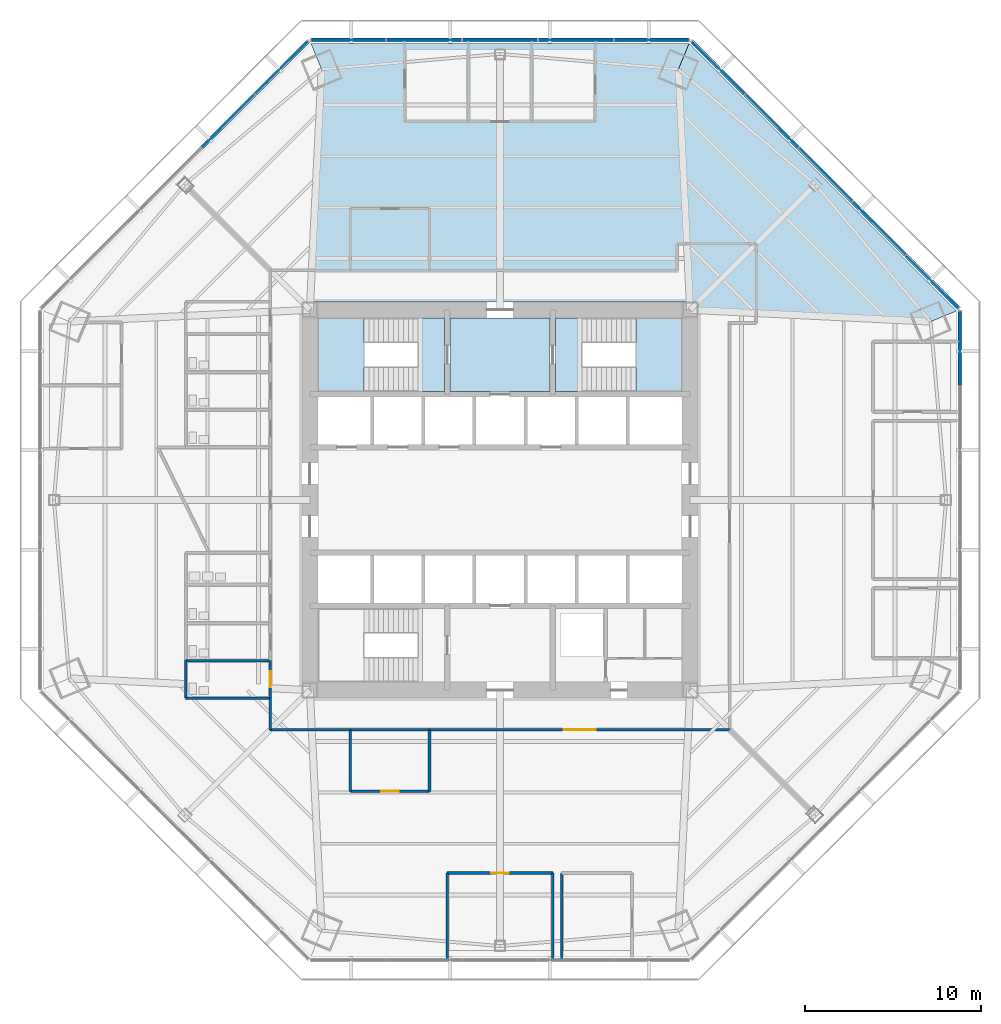
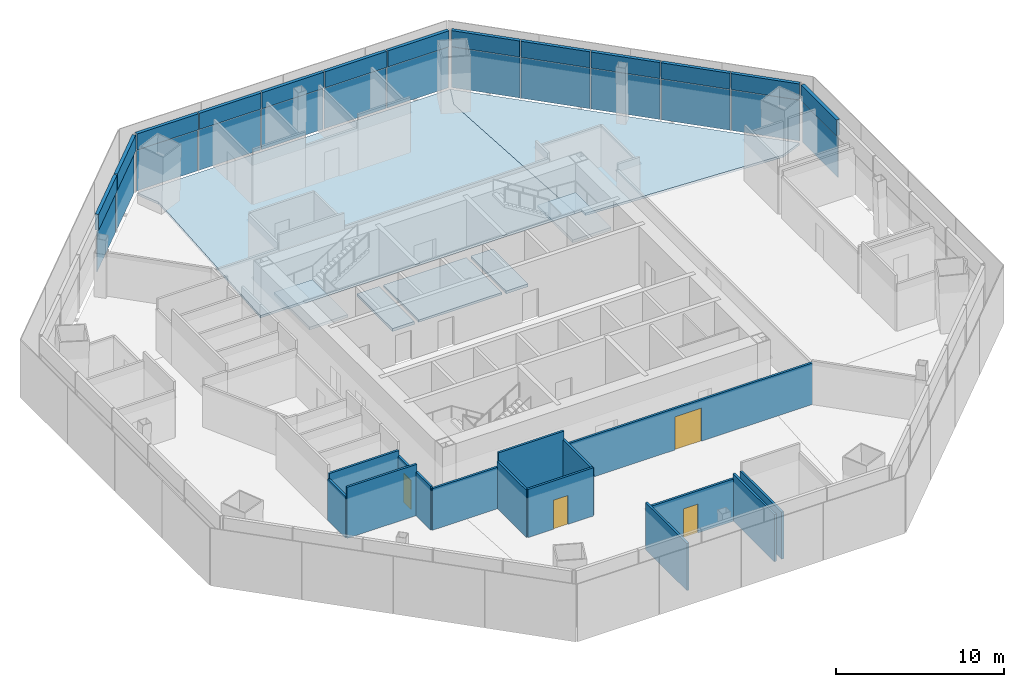
# One storey, part 8 of 15: 26 plates, 15 walls, 7 slabs, 4 doors, 4 openings, 6 elements without a shape of their own.
"""IFC4 building model written with IfcOpenShell, lengths in metres."""

from ifc_helpers import new_model, si_unit, direction, frame, frame_2d, origin, origin_2d, place, context, subcontext, project, spatial, polyline, rectangle, outline, extrude, source, transform, mapped, material, layer, layer_set, type_object, type_shapes, element, fill, aggregate, save


model = new_model("IFC4")

# Units and contexts
model_context = context("Model", 3, precision=1e-05, world=origin(), true_north=direction((0.0, 1.0)))
body_context = subcontext(model_context, "Body", "Model", "MODEL_VIEW")
ifc_project = project(units=[si_unit("LENGTHUNIT", "METRE"), si_unit("AREAUNIT", "SQUARE_METRE"), si_unit("VOLUMEUNIT", "CUBIC_METRE"), si_unit("PLANEANGLEUNIT", "RADIAN"), si_unit("MASSUNIT", "GRAM", prefix="KILO")], contexts=[model_context])

# Site, building, storey
site_placement = place(None, origin())
site = spatial("IfcSite", under=ifc_project, at=site_placement, CompositionType="ELEMENT")
building_placement = place(site_placement, origin())
building = spatial("IfcBuilding", under=site, at=building_placement, Name="Mashrafa Tower", CompositionType="ELEMENT")
storey_placement = place(building_placement, frame((0.0, 0.0, 66.60009765625)))
storey = spatial("IfcBuildingStorey", under=building, at=storey_placement, Name="L14", CompositionType="ELEMENT", Elevation=66.60009765625)

# Slabs
ifc_material_1 = material(Name="Concrete C35/45", Category="concrete")
ifc_layer_1 = layer(ifc_material_1, 0.1650390625)
ifc_layer_set_1 = layer_set([ifc_layer_1], Name="Floor slab 165")
slab_type_1 = type_object("IfcSlabType", Name="Floor slab 165", PredefinedType="FLOOR", material=ifc_layer_set_1)
slab_1_placement = place(storey_placement, frame((0.0, 0.0, -0.1650390625)))
element("IfcSlab", 1, at=slab_1_placement, inside=storey, type_object=slab_type_1, Name="Floor slab L14 north-east bay", PredefinedType="FLOOR", context=body_context, shape_type="SweptSolid", body=[
    extrude(outline(polyline([(10.740966796875, 25.9306640625), (25.9306640625, 10.740966796875), (25.9306640625, 10.74072265625), (24.457275390625, 10.130615234375), (11.25, 10.77783203125), (11.25, 11.25), (10.77783203125, 11.25), (10.130615234375, 24.457275390625), (10.74072265625, 25.9306640625), (10.740966796875, 25.9306640625)])), origin(), (0.0, 0.0, 1.0), 0.1650390625),
])
slab_2_placement = place(storey_placement, frame((0.0, 0.0, -0.1650390625)))
element("IfcSlab", 2, at=slab_2_placement, inside=storey, type_object=slab_type_1, Name="Floor slab L14 north bay", PredefinedType="FLOOR", context=body_context, shape_type="SweptSolid", body=[
    extrude(outline(polyline([(10.74072265625, 25.9306640625), (10.130615234375, 24.457275390625), (10.77783203125, 11.25), (-10.77783203125, 11.25), (-10.130615234375, 24.457275390625), (-10.74072265625, 25.9306640625), (10.74072265625, 25.9306640625)])), origin(), (0.0, 0.0, 1.0), 0.1650390625),
])
slab_3_placement = place(storey_placement, frame((0.0, 0.0, -0.1650390625)))
element("IfcSlab", 3, at=slab_3_placement, inside=storey, type_object=slab_type_1, Name="Core floor fire-fighting lobby north L14", PredefinedType="FLOOR", context=body_context, shape_type="SweptSolid", body=[
    extrude(outline(polyline([(-2.85009765625, 10.35009765625), (2.85009765625, 10.35009765625), (2.85009765625, 6.14990234375), (-2.85009765625, 6.14990234375), (-2.85009765625, 10.35009765625)])), origin(), (0.0, 0.0, 1.0), 0.1650390625),
])

# Stair, slabs
ifc_material_2 = material(Name="Exit stair 1400")
stair_type = type_object("IfcStairType", Name="Exit stair 1400", PredefinedType="HALF_TURN_STAIR", material=ifc_material_2)
stair_1_placement = place(storey_placement, origin())
stair_1 = element("IfcStair", 4, at=stair_1_placement, inside=storey, type_object=stair_type, Name="Stair S1 L14", PredefinedType="HALF_TURN_STAIR")
ifc_material_3 = material(Name="Concrete C32/40", Category="concrete")
ifc_layer_2 = layer(ifc_material_3, 0.199951171875)
ifc_layer_set_2 = layer_set([ifc_layer_2], Name="Stair landing 200")
slab_type_2 = type_object("IfcSlabType", Name="Stair landing 200", PredefinedType="LANDING", material=ifc_layer_set_2)
slab_4_placement = place(storey_placement, frame((0.0, 0.0, -0.2001953125)))
slab_4 = element("IfcSlab", 5, at=slab_4_placement, type_object=slab_type_2, Name="S1 landing 1", PredefinedType="LANDING", context=body_context, shape_type="SweptSolid", body=[
    extrude(outline(polyline([(-4.659912109375, 6.14990234375), (-3.14990234375, 6.14990234375), (-3.14990234375, 10.35009765625), (-4.659912109375, 10.35009765625), (-4.659912109375, 6.14990234375)])), origin(), (0.0, 0.0, 1.0), 0.2001953125),
])
slab_5_placement = place(storey_placement, frame((0.0, 0.0, 1.89990234375)))
slab_5 = element("IfcSlab", 6, at=slab_5_placement, type_object=slab_type_2, Name="S1 landing 2", PredefinedType="LANDING", context=body_context, shape_type="SweptSolid", body=[
    extrude(outline(polyline([(-10.35009765625, 6.14990234375), (-7.719970703125, 6.14990234375), (-7.719970703125, 10.35009765625), (-10.35009765625, 10.35009765625), (-10.35009765625, 6.14990234375)])), origin(), (0.0, 0.0, 1.0), 0.199951171875),
])
aggregate(stair_1, [slab_4, slab_5])

stair_2_placement = place(storey_placement, origin())
stair_2 = element("IfcStair", 7, at=stair_2_placement, inside=storey, type_object=stair_type, Name="Stair S2 L14", PredefinedType="HALF_TURN_STAIR")
slab_6_placement = place(storey_placement, frame((0.0, 0.0, -0.2001953125)))
slab_6 = element("IfcSlab", 8, at=slab_6_placement, type_object=slab_type_2, Name="S2 landing 1", PredefinedType="LANDING", context=body_context, shape_type="SweptSolid", body=[
    extrude(outline(polyline([(3.14990234375, 6.14990234375), (4.659912109375, 6.14990234375), (4.659912109375, 10.35009765625), (3.14990234375, 10.35009765625), (3.14990234375, 6.14990234375)])), origin(), (0.0, 0.0, 1.0), 0.2001953125),
])
slab_7_placement = place(storey_placement, frame((0.0, 0.0, 1.89990234375)))
slab_7 = element("IfcSlab", 9, at=slab_7_placement, type_object=slab_type_2, Name="S2 landing 2", PredefinedType="LANDING", context=body_context, shape_type="SweptSolid", body=[
    extrude(outline(polyline([(7.719970703125, 6.14990234375), (10.35009765625, 6.14990234375), (10.35009765625, 10.35009765625), (7.719970703125, 10.35009765625), (7.719970703125, 6.14990234375)])), origin(), (0.0, 0.0, 1.0), 0.199951171875),
])
aggregate(stair_2, [slab_6, slab_7])

# Curtain wall, plate
ifc_material_4 = material(Name="Unitised aluminium curtain wall", Category="aluminium")
curtain_wall_type = type_object("IfcCurtainWallType", Name="Office curtain wall, zone 1 CW-A 200 deep", PredefinedType="NOTDEFINED", material=ifc_material_4)
curtain_wall_1_placement = place(storey_placement, origin())
curtain_wall_1 = element("IfcCurtainWall", 10, at=curtain_wall_1_placement, inside=storey, type_object=curtain_wall_type, Name="Office curtain wall, zone 1 L14 east", PredefinedType="NOTDEFINED")
ifc_material_5 = material(Name="Insulated double glazing, low-e, neutral", Category="glass")
ifc_layer_3 = layer(ifc_material_5, 0.028076171875)
ifc_layer_set_3 = layer_set([ifc_layer_3], Name="Vision panel CW-A 28")
plate_type_1 = type_object("IfcPlateType", Name="Vision panel CW-A 28", PredefinedType="CURTAIN_PANEL", material=ifc_layer_set_3)
shared_shape_1 = source(origin(), body_context, "Body", "SweptSolid", [
    extrude(rectangle(XDim=4.21142578125, YDim=0.028076171875, at=origin_2d()), origin(), (0.0, 0.0, 1.0), 2.9599609375),
])
plate_1_placement = place(storey_placement, frame((26.130615234375, 8.6015625, 0.0), z_axis=(0.0, 0.0, 1.0), x_axis=(0.0, 1.0, 0.0)))
plate_1 = element("IfcPlate", 11, at=plate_1_placement, type_object=plate_type_1, Name="CW-A vision panel 5", PredefinedType="CURTAIN_PANEL", context=body_context, shape_type="MappedRepresentation", body=[
    mapped(shared_shape_1, transform((0.0, 0.0, 0.0))),
])

# Curtain wall, plates
curtain_wall_2_placement = place(storey_placement, origin())
curtain_wall_2 = element("IfcCurtainWall", 12, at=curtain_wall_2_placement, inside=storey, type_object=curtain_wall_type, Name="Office curtain wall, zone 1 L14 north-east", PredefinedType="NOTDEFINED")
plate_2_placement = place(storey_placement, frame((24.559326171875, 12.39501953125, 0.0), z_axis=(0.0, 0.0, 1.0), x_axis=(-0.707106781187, 0.707106781187, 0.0)))
plate_2 = element("IfcPlate", 13, at=plate_2_placement, type_object=plate_type_1, Name="CW-A vision panel 1", PredefinedType="CURTAIN_PANEL", context=body_context, shape_type="MappedRepresentation", body=[
    mapped(shared_shape_1, transform((0.0, 0.0, 0.0))),
])
plate_3_placement = place(storey_placement, frame((12.39501953125, 24.559326171875, 0.0), z_axis=(0.0, 0.0, 1.0), x_axis=(-0.707106781187, 0.707106781187, 0.0)))
plate_3 = element("IfcPlate", 14, at=plate_3_placement, type_object=plate_type_1, Name="CW-A vision panel 5", PredefinedType="CURTAIN_PANEL", context=body_context, shape_type="MappedRepresentation", body=[
    mapped(shared_shape_1, transform((0.0, 0.0, 0.0))),
])

curtain_wall_3_placement = place(storey_placement, origin())
curtain_wall_3 = element("IfcCurtainWall", 15, at=curtain_wall_3_placement, inside=storey, type_object=curtain_wall_type, Name="Office curtain wall, zone 1 L14 north", PredefinedType="NOTDEFINED")
plate_4_placement = place(storey_placement, frame((8.6015625, 26.130615234375, 0.0), z_axis=(0.0, 0.0, 1.0), x_axis=(-1.0, 0.0, 0.0)))
plate_4 = element("IfcPlate", 16, at=plate_4_placement, type_object=plate_type_1, Name="CW-A vision panel 1", PredefinedType="CURTAIN_PANEL", context=body_context, shape_type="MappedRepresentation", body=[
    mapped(shared_shape_1, transform((0.0, 0.0, 0.0))),
])
plate_5_placement = place(storey_placement, frame((-8.6015625, 26.130615234375, 0.0), z_axis=(0.0, 0.0, 1.0), x_axis=(-1.0, 0.0, 0.0)))
plate_5 = element("IfcPlate", 17, at=plate_5_placement, type_object=plate_type_1, Name="CW-A vision panel 5", PredefinedType="CURTAIN_PANEL", context=body_context, shape_type="MappedRepresentation", body=[
    mapped(shared_shape_1, transform((0.0, 0.0, 0.0))),
])

# Curtain wall, plate
curtain_wall_4_placement = place(storey_placement, origin())
curtain_wall_4 = element("IfcCurtainWall", 18, at=curtain_wall_4_placement, inside=storey, type_object=curtain_wall_type, Name="Office curtain wall, zone 1 L14 north-west", PredefinedType="NOTDEFINED")
plate_6_placement = place(storey_placement, frame((-12.39501953125, 24.559326171875, 0.0), z_axis=(0.0, 0.0, 1.0), x_axis=(-0.707106781187, -0.707106781187, 0.0)))
plate_6 = element("IfcPlate", 19, at=plate_6_placement, type_object=plate_type_1, Name="CW-A vision panel 1", PredefinedType="CURTAIN_PANEL", context=body_context, shape_type="MappedRepresentation", body=[
    mapped(shared_shape_1, transform((0.0, 0.0, 0.0))),
])

# Plate
ifc_material_6 = material(Name="Insulated aluminium spandrel panel", Category="aluminium")
ifc_layer_4 = layer(ifc_material_6, 0.219970703125)
ifc_layer_set_4 = layer_set([ifc_layer_4], Name="Spandrel panel CW-A 220")
plate_type_2 = type_object("IfcPlateType", Name="Spandrel panel CW-A 220", PredefinedType="CURTAIN_PANEL", material=ifc_layer_set_4)
shared_shape_2 = source(origin(), body_context, "Body", "SweptSolid", [
    extrude(rectangle(XDim=4.21142578125, YDim=0.219970703125, at=origin_2d()), origin(), (0.0, 0.0, 1.0), 1.159912109375),
])
plate_7_placement = place(storey_placement, frame((26.130615234375, 8.6015625, 3.0400390625), z_axis=(0.0, 0.0, 1.0), x_axis=(0.0, 1.0, 0.0)))
plate_7 = element("IfcPlate", 20, at=plate_7_placement, type_object=plate_type_2, Name="CW-A spandrel panel 5", PredefinedType="CURTAIN_PANEL", context=body_context, shape_type="MappedRepresentation", body=[
    mapped(shared_shape_2, transform((0.0, 0.0, 0.0))),
])

aggregate(curtain_wall_1, [plate_1, plate_7])

plate_8_placement = place(storey_placement, frame((24.559326171875, 12.39501953125, 3.0400390625), z_axis=(0.0, 0.0, 1.0), x_axis=(-0.707106781187, 0.707106781187, 0.0)))
plate_8 = element("IfcPlate", 21, at=plate_8_placement, type_object=plate_type_2, Name="CW-A spandrel panel 1", PredefinedType="CURTAIN_PANEL", context=body_context, shape_type="MappedRepresentation", body=[
    mapped(shared_shape_2, transform((0.0, 0.0, 0.0))),
])

plate_9_placement = place(storey_placement, frame((12.39501953125, 24.559326171875, 3.0400390625), z_axis=(0.0, 0.0, 1.0), x_axis=(-0.707106781187, 0.707106781187, 0.0)))
plate_9 = element("IfcPlate", 22, at=plate_9_placement, type_object=plate_type_2, Name="CW-A spandrel panel 5", PredefinedType="CURTAIN_PANEL", context=body_context, shape_type="MappedRepresentation", body=[
    mapped(shared_shape_2, transform((0.0, 0.0, 0.0))),
])

plate_10_placement = place(storey_placement, frame((8.6015625, 26.130615234375, 3.0400390625), z_axis=(0.0, 0.0, 1.0), x_axis=(-1.0, 0.0, 0.0)))
plate_10 = element("IfcPlate", 23, at=plate_10_placement, type_object=plate_type_2, Name="CW-A spandrel panel 1", PredefinedType="CURTAIN_PANEL", context=body_context, shape_type="MappedRepresentation", body=[
    mapped(shared_shape_2, transform((0.0, 0.0, 0.0))),
])

plate_11_placement = place(storey_placement, frame((-8.6015625, 26.130615234375, 3.0400390625), z_axis=(0.0, 0.0, 1.0), x_axis=(-1.0, 0.0, 0.0)))
plate_11 = element("IfcPlate", 24, at=plate_11_placement, type_object=plate_type_2, Name="CW-A spandrel panel 5", PredefinedType="CURTAIN_PANEL", context=body_context, shape_type="MappedRepresentation", body=[
    mapped(shared_shape_2, transform((0.0, 0.0, 0.0))),
])

plate_12_placement = place(storey_placement, frame((-12.39501953125, 24.559326171875, 3.0400390625), z_axis=(0.0, 0.0, 1.0), x_axis=(-0.707106781187, -0.707106781187, 0.0)))
plate_12 = element("IfcPlate", 25, at=plate_12_placement, type_object=plate_type_2, Name="CW-A spandrel panel 1", PredefinedType="CURTAIN_PANEL", context=body_context, shape_type="MappedRepresentation", body=[
    mapped(shared_shape_2, transform((0.0, 0.0, 0.0))),
])

shared_shape_3 = source(origin(), body_context, "Body", "SweptSolid", [
    extrude(rectangle(XDim=4.243896484375, YDim=0.028076171875, at=origin_2d()), origin(), (0.0, 0.0, 1.0), 2.9599609375),
])
type_shapes(plate_type_1, [shared_shape_1, shared_shape_3])
plate_13_placement = place(storey_placement, frame((21.524169921875, 15.430419921875, 0.0), z_axis=(0.0, 0.0, 1.0), x_axis=(-0.707106781187, 0.707106781187, 0.0)))
plate_13 = element("IfcPlate", 26, at=plate_13_placement, type_object=plate_type_1, Name="CW-A vision panel 2", PredefinedType="CURTAIN_PANEL", context=body_context, shape_type="MappedRepresentation", body=[
    mapped(shared_shape_3, transform((0.0, 0.0, 0.0))),
])

plate_14_placement = place(storey_placement, frame((18.477294921875, 18.477294921875, 0.0), z_axis=(0.0, 0.0, 1.0), x_axis=(-0.707106781187, 0.707106781187, 0.0)))
plate_14 = element("IfcPlate", 27, at=plate_14_placement, type_object=plate_type_1, Name="CW-A vision panel 3", PredefinedType="CURTAIN_PANEL", context=body_context, shape_type="MappedRepresentation", body=[
    mapped(shared_shape_3, transform((0.0, 0.0, 0.0))),
])

plate_15_placement = place(storey_placement, frame((15.430419921875, 21.524169921875, 0.0), z_axis=(0.0, 0.0, 1.0), x_axis=(-0.707106781187, 0.707106781187, 0.0)))
plate_15 = element("IfcPlate", 28, at=plate_15_placement, type_object=plate_type_1, Name="CW-A vision panel 4", PredefinedType="CURTAIN_PANEL", context=body_context, shape_type="MappedRepresentation", body=[
    mapped(shared_shape_3, transform((0.0, 0.0, 0.0))),
])

plate_16_placement = place(storey_placement, frame((4.308837890625, 26.130615234375, 0.0), z_axis=(0.0, 0.0, 1.0), x_axis=(-1.0, 0.0, 0.0)))
plate_16 = element("IfcPlate", 29, at=plate_16_placement, type_object=plate_type_1, Name="CW-A vision panel 2", PredefinedType="CURTAIN_PANEL", context=body_context, shape_type="MappedRepresentation", body=[
    mapped(shared_shape_3, transform((0.0, 0.0, 0.0))),
])

plate_17_placement = place(storey_placement, frame((0.0, 26.130615234375, 0.0), z_axis=(0.0, 0.0, 1.0), x_axis=(-1.0, 0.0, 0.0)))
plate_17 = element("IfcPlate", 30, at=plate_17_placement, type_object=plate_type_1, Name="CW-A vision panel 3", PredefinedType="CURTAIN_PANEL", context=body_context, shape_type="MappedRepresentation", body=[
    mapped(shared_shape_3, transform((0.0, 0.0, 0.0))),
])

plate_18_placement = place(storey_placement, frame((-4.308837890625, 26.130615234375, 0.0), z_axis=(0.0, 0.0, 1.0), x_axis=(-1.0, 0.0, 0.0)))
plate_18 = element("IfcPlate", 31, at=plate_18_placement, type_object=plate_type_1, Name="CW-A vision panel 4", PredefinedType="CURTAIN_PANEL", context=body_context, shape_type="MappedRepresentation", body=[
    mapped(shared_shape_3, transform((0.0, 0.0, 0.0))),
])

plate_19_placement = place(storey_placement, frame((-15.430419921875, 21.524169921875, 0.0), z_axis=(0.0, 0.0, 1.0), x_axis=(-0.707106781187, -0.707106781187, 0.0)))
plate_19 = element("IfcPlate", 32, at=plate_19_placement, type_object=plate_type_1, Name="CW-A vision panel 2", PredefinedType="CURTAIN_PANEL", context=body_context, shape_type="MappedRepresentation", body=[
    mapped(shared_shape_3, transform((0.0, 0.0, 0.0))),
])

shared_shape_4 = source(origin(), body_context, "Body", "SweptSolid", [
    extrude(rectangle(XDim=4.243896484375, YDim=0.219970703125, at=origin_2d()), origin(), (0.0, 0.0, 1.0), 1.159912109375),
])
type_shapes(plate_type_2, [shared_shape_2, shared_shape_4])
plate_20_placement = place(storey_placement, frame((21.524169921875, 15.430419921875, 3.0400390625), z_axis=(0.0, 0.0, 1.0), x_axis=(-0.707106781187, 0.707106781187, 0.0)))
plate_20 = element("IfcPlate", 33, at=plate_20_placement, type_object=plate_type_2, Name="CW-A spandrel panel 2", PredefinedType="CURTAIN_PANEL", context=body_context, shape_type="MappedRepresentation", body=[
    mapped(shared_shape_4, transform((0.0, 0.0, 0.0))),
])

plate_21_placement = place(storey_placement, frame((18.477294921875, 18.477294921875, 3.0400390625), z_axis=(0.0, 0.0, 1.0), x_axis=(-0.707106781187, 0.707106781187, 0.0)))
plate_21 = element("IfcPlate", 34, at=plate_21_placement, type_object=plate_type_2, Name="CW-A spandrel panel 3", PredefinedType="CURTAIN_PANEL", context=body_context, shape_type="MappedRepresentation", body=[
    mapped(shared_shape_4, transform((0.0, 0.0, 0.0))),
])

plate_22_placement = place(storey_placement, frame((15.430419921875, 21.524169921875, 3.0400390625), z_axis=(0.0, 0.0, 1.0), x_axis=(-0.707106781187, 0.707106781187, 0.0)))
plate_22 = element("IfcPlate", 35, at=plate_22_placement, type_object=plate_type_2, Name="CW-A spandrel panel 4", PredefinedType="CURTAIN_PANEL", context=body_context, shape_type="MappedRepresentation", body=[
    mapped(shared_shape_4, transform((0.0, 0.0, 0.0))),
])

aggregate(curtain_wall_2, [plate_2, plate_8, plate_13, plate_20, plate_14, plate_21, plate_15, plate_22, plate_3, plate_9])

plate_23_placement = place(storey_placement, frame((4.308837890625, 26.130615234375, 3.0400390625), z_axis=(0.0, 0.0, 1.0), x_axis=(-1.0, 0.0, 0.0)))
plate_23 = element("IfcPlate", 36, at=plate_23_placement, type_object=plate_type_2, Name="CW-A spandrel panel 2", PredefinedType="CURTAIN_PANEL", context=body_context, shape_type="MappedRepresentation", body=[
    mapped(shared_shape_4, transform((0.0, 0.0, 0.0))),
])

plate_24_placement = place(storey_placement, frame((0.0, 26.130615234375, 3.0400390625), z_axis=(0.0, 0.0, 1.0), x_axis=(-1.0, 0.0, 0.0)))
plate_24 = element("IfcPlate", 37, at=plate_24_placement, type_object=plate_type_2, Name="CW-A spandrel panel 3", PredefinedType="CURTAIN_PANEL", context=body_context, shape_type="MappedRepresentation", body=[
    mapped(shared_shape_4, transform((0.0, 0.0, 0.0))),
])

plate_25_placement = place(storey_placement, frame((-4.308837890625, 26.130615234375, 3.0400390625), z_axis=(0.0, 0.0, 1.0), x_axis=(-1.0, 0.0, 0.0)))
plate_25 = element("IfcPlate", 38, at=plate_25_placement, type_object=plate_type_2, Name="CW-A spandrel panel 4", PredefinedType="CURTAIN_PANEL", context=body_context, shape_type="MappedRepresentation", body=[
    mapped(shared_shape_4, transform((0.0, 0.0, 0.0))),
])

aggregate(curtain_wall_3, [plate_4, plate_10, plate_16, plate_23, plate_17, plate_24, plate_18, plate_25, plate_5, plate_11])

plate_26_placement = place(storey_placement, frame((-15.430419921875, 21.524169921875, 3.0400390625), z_axis=(0.0, 0.0, 1.0), x_axis=(-0.707106781187, -0.707106781187, 0.0)))
plate_26 = element("IfcPlate", 39, at=plate_26_placement, type_object=plate_type_2, Name="CW-A spandrel panel 2", PredefinedType="CURTAIN_PANEL", context=body_context, shape_type="MappedRepresentation", body=[
    mapped(shared_shape_4, transform((0.0, 0.0, 0.0))),
])

aggregate(curtain_wall_4, [plate_6, plate_12, plate_19, plate_26])

# Wall, opening, door
ifc_material_7 = material(Name="Gypsum board on steel studs", Category="steel")
ifc_layer_5 = layer(ifc_material_7, 0.14990234375)
ifc_layer_set_5 = layer_set([ifc_layer_5], Name="Corridor partition 150 1 hr")
wall_type_1 = type_object("IfcWallType", Name="Corridor partition 150 1 hr", PredefinedType="PARTITIONING", material=ifc_layer_set_5)
wall_1_placement = place(storey_placement, frame((-13.050048828125, -9.1240234375, 0.0), z_axis=(0.0, 0.0, 1.0), x_axis=(0.0, -1.0, 0.0)))
wall_1 = element("IfcWall", 40, at=wall_1_placement, inside=storey, type_object=wall_type_1, Name="Corridor wall L14-005", PredefinedType="PARTITIONING", context=body_context, shape_type="SweptSolid", body=[
    extrude(rectangle(XDim=2.126953125, YDim=0.14990234375, at=frame_2d((1.0634765625, 0.0))), origin(), (0.0, 0.0, 1.0), 3.013916015625),
])
opening_1_placement = place(wall_1_placement, frame((0.613525390625, 0.0, 0.0)))
opening_1 = element("IfcOpeningElement", 41, at=opening_1_placement, cuts=wall_1, Name="Opening 14.005", PredefinedType="OPENING", context=body_context, shape_type="SweptSolid", body=[
    extrude(rectangle(XDim=0.89990234375, YDim=2.10009765625, at=frame_2d((0.449951171875, 1.050048828125))), frame((0.0, 0.0849609375, 0.0), z_axis=(0.0, -1.0, 0.0), x_axis=(1.0, 0.0, 0.0)), (0.0, 0.0, 1.0), 0.169921875),
])
ifc_material_8 = material(Name="Timber door", Category="wood")
door_type_1 = type_object("IfcDoorType", Name="Toilet door 900 x 2100", OperationType="USERDEFINED", PredefinedType="DOOR", material=ifc_material_8)
door_1_placement = place(opening_1_placement, frame((0.89990234375, 0.0, 0.0), z_axis=(0.0, 0.0, 1.0), x_axis=(-1.0, 0.0, 0.0)))
door_1 = element("IfcDoor", 42, at=door_1_placement, inside=storey, type_object=door_type_1, Name="WC Female L14 S door", OperationType="SINGLE_SWING_RIGHT", OverallHeight=2.10009765625, OverallWidth=0.89990234375, PredefinedType="DOOR", context=body_context, shape_type="SweptSolid", body=[
    extrude(rectangle(XDim=0.89990234375, YDim=2.10009765625, at=frame_2d((0.449951171875, 1.050048828125))), frame((0.0, 0.02490234375, 0.0), z_axis=(0.0, -1.0, 0.0), x_axis=(1.0, 0.0, 0.0)), (0.0, 0.0, 1.0), 0.050048828125),
])
fill(opening_1, door_1)

# Walls
wall_2_placement = place(storey_placement, frame((-8.5009765625, -13.050048828125, 0.0), z_axis=(0.0, 0.0, 1.0), x_axis=(1.0, 0.0, 0.0)))
element("IfcWall", 43, at=wall_2_placement, inside=storey, type_object=wall_type_1, Name="Corridor wall L14-011", PredefinedType="PARTITIONING", context=body_context, shape_type="SweptSolid", body=[
    extrude(rectangle(XDim=4.501953125, YDim=0.14990234375, at=frame_2d((2.2509765625, 0.0))), origin(), (0.0, 0.0, 1.0), 4.034912109375),
])
wall_3_placement = place(storey_placement, frame((-13.050048828125, -11.2490234375, 0.0), z_axis=(0.0, 0.0, 1.0), x_axis=(0.0, -1.0, 0.0)))
element("IfcWall", 44, at=wall_3_placement, inside=storey, type_object=wall_type_1, Name="Corridor wall L14-019", PredefinedType="PARTITIONING", context=body_context, shape_type="SweptSolid", body=[
    extrude(rectangle(XDim=1.801025390625, YDim=0.14990234375, at=frame_2d((0.900390625, 0.0))), origin(), (0.0, 0.0, 1.0), 3.16650390625),
])
wall_4_placement = place(storey_placement, frame((-13.050048828125, -13.050048828125, 0.0), z_axis=(0.0, 0.0, 1.0), x_axis=(1.0, 0.0, 0.0)))
element("IfcWall", 45, at=wall_4_placement, inside=storey, type_object=wall_type_1, Name="Corridor wall L14-020", PredefinedType="PARTITIONING", context=body_context, shape_type="SweptSolid", body=[
    extrude(rectangle(XDim=4.551025390625, YDim=0.14990234375, at=frame_2d((2.275390625, 0.0))), origin(), (0.0, 0.0, 1.0), 3.013916015625),
])

# Wall, opening, door
wall_5_placement = place(storey_placement, frame((-4.0009765625, -13.050048828125, 0.0), z_axis=(0.0, 0.0, 1.0), x_axis=(1.0, 0.0, 0.0)))
wall_5 = element("IfcWall", 46, at=wall_5_placement, inside=storey, type_object=wall_type_1, Name="Corridor wall L14-022", PredefinedType="PARTITIONING", context=body_context, shape_type="SweptSolid", body=[
    extrude(rectangle(XDim=17.051025390625, YDim=0.14990234375, at=frame_2d((8.525390625, 0.0))), origin(), (0.0, 0.0, 1.0), 3.013916015625),
])
opening_2_placement = place(wall_5_placement, frame((7.62548828125, 0.0, 0.0)))
opening_2 = element("IfcOpeningElement", 47, at=opening_2_placement, cuts=wall_5, Name="Opening 14.023", PredefinedType="OPENING", context=body_context, shape_type="SweptSolid", body=[
    extrude(rectangle(XDim=1.800048828125, YDim=2.39990234375, at=frame_2d((0.89990234375, 1.199951171875))), frame((0.0, 0.0849609375, 0.0), z_axis=(0.0, -1.0, 0.0), x_axis=(1.0, 0.0, 0.0)), (0.0, 0.0, 1.0), 0.169921875),
])
ifc_material_9 = material(Name="Timber door", Category="wood")
door_type_2 = type_object("IfcDoorType", Name="Door pair 1800 x 2400", OperationType="DOUBLE_DOOR_SINGLE_SWING", PredefinedType="DOOR", material=ifc_material_9)
door_2_placement = place(opening_2_placement, origin())
door_2 = element("IfcDoor", 48, at=door_2_placement, inside=storey, type_object=door_type_2, Name="Office Tenancy 14-B door", OperationType="DOUBLE_DOOR_SINGLE_SWING", OverallHeight=2.39990234375, OverallWidth=1.800048828125, PredefinedType="DOOR", context=body_context, shape_type="SweptSolid", body=[
    extrude(rectangle(XDim=1.800048828125, YDim=2.39990234375, at=frame_2d((0.89990234375, 1.199951171875))), frame((0.0, 0.02490234375, 0.0), z_axis=(0.0, -1.0, 0.0), x_axis=(1.0, 0.0, 0.0)), (0.0, 0.0, 1.0), 0.050048828125),
])
fill(opening_2, door_2)

# Walls
ifc_material_10 = material(Name="Gypsum board on steel studs", Category="steel")
ifc_layer_6 = layer(ifc_material_10, 0.14990234375)
ifc_layer_set_6 = layer_set([ifc_layer_6], Name="Partition 150")
wall_type_2 = type_object("IfcWallType", Name="Partition 150", PredefinedType="PARTITIONING", material=ifc_layer_set_6)
wall_6_placement = place(storey_placement, frame((-13.050048828125, -9.125, 0.0), z_axis=(0.0, 0.0, 1.0), x_axis=(-1.0, 0.0, 0.0)))
element("IfcWall", 49, at=wall_6_placement, inside=storey, type_object=wall_type_2, Name="Partition wall L14-032", PredefinedType="PARTITIONING", context=body_context, shape_type="SweptSolid", body=[
    extrude(rectangle(XDim=4.800048828125, YDim=0.14990234375, at=frame_2d((2.39990234375, 0.0))), origin(), (0.0, 0.0, 1.0), 3.4228515625),
])
wall_7_placement = place(storey_placement, frame((-17.85009765625, -9.125, 0.0), z_axis=(0.0, 0.0, 1.0), x_axis=(0.0, -1.0, 0.0)))
element("IfcWall", 50, at=wall_7_placement, inside=storey, type_object=wall_type_2, Name="Partition wall L14-033", PredefinedType="PARTITIONING", context=body_context, shape_type="SweptSolid", body=[
    extrude(rectangle(XDim=2.125, YDim=0.14990234375, at=frame_2d((1.0625, 0.0))), origin(), (0.0, 0.0, 1.0), 3.013916015625),
])
wall_8_placement = place(storey_placement, frame((-17.85009765625, -11.25, 0.0), z_axis=(0.0, 0.0, 1.0), x_axis=(1.0, 0.0, 0.0)))
element("IfcWall", 51, at=wall_8_placement, inside=storey, type_object=wall_type_2, Name="Partition wall L14-034", PredefinedType="PARTITIONING", context=body_context, shape_type="SweptSolid", body=[
    extrude(rectangle(XDim=4.800048828125, YDim=0.14990234375, at=frame_2d((2.39990234375, 0.0))), origin(), (0.0, 0.0, 1.0), 3.715087890625),
])
wall_9_placement = place(storey_placement, frame((3.0, -26.11279296875, 0.0), z_axis=(0.0, 0.0, 1.0), x_axis=(0.0, 1.0, 0.0)))
element("IfcWall", 52, at=wall_9_placement, inside=storey, type_object=wall_type_2, Name="Partition wall L14-050", PredefinedType="PARTITIONING", context=body_context, shape_type="SweptSolid", body=[
    extrude(rectangle(XDim=4.93212890625, YDim=0.14990234375, at=frame_2d((2.466064453125, 0.0))), origin(), (0.0, 0.0, 1.0), 3.4228515625),
])

# Wall, opening, door
wall_10_placement = place(storey_placement, frame((3.0, -21.1806640625, 0.0), z_axis=(0.0, 0.0, 1.0), x_axis=(-1.0, 0.0, 0.0)))
wall_10 = element("IfcWall", 53, at=wall_10_placement, inside=storey, type_object=wall_type_2, Name="Partition wall L14-051", PredefinedType="PARTITIONING", context=body_context, shape_type="SweptSolid", body=[
    extrude(rectangle(XDim=6.0, YDim=0.14990234375, at=frame_2d((3.0, 0.0))), origin(), (0.0, 0.0, 1.0), 3.064697265625),
])
opening_3_placement = place(wall_10_placement, frame((2.5, 0.0, 0.0)))
opening_3 = element("IfcOpeningElement", 54, at=opening_3_placement, cuts=wall_10, Name="Opening 14.012", PredefinedType="OPENING", context=body_context, shape_type="SweptSolid", body=[
    extrude(rectangle(XDim=1.0, YDim=2.10009765625, at=frame_2d((0.5, 1.050048828125))), frame((0.0, 0.0849609375, 0.0), z_axis=(0.0, -1.0, 0.0), x_axis=(1.0, 0.0, 0.0)), (0.0, 0.0, 1.0), 0.169921875),
])
ifc_material_11 = material(Name="Timber door", Category="wood")
door_type_3 = type_object("IfcDoorType", Name="Door 1000 x 2100", OperationType="USERDEFINED", PredefinedType="DOOR", material=ifc_material_11)
door_3_placement = place(opening_3_placement, origin())
door_3 = element("IfcDoor", 55, at=door_3_placement, inside=storey, type_object=door_type_3, Name="Meeting Room 14-B door", OperationType="SINGLE_SWING_LEFT", OverallHeight=2.10009765625, OverallWidth=1.0, PredefinedType="DOOR", context=body_context, shape_type="SweptSolid", body=[
    extrude(rectangle(XDim=1.0, YDim=2.10009765625, at=frame_2d((0.5, 1.050048828125))), frame((0.0, 0.02490234375, 0.0), z_axis=(0.0, -1.0, 0.0), x_axis=(1.0, 0.0, 0.0)), (0.0, 0.0, 1.0), 0.050048828125),
])
fill(opening_3, door_3)

# Walls
wall_11_placement = place(storey_placement, frame((-3.0, -21.1806640625, 0.0), z_axis=(0.0, 0.0, 1.0), x_axis=(0.0, -1.0, 0.0)))
element("IfcWall", 56, at=wall_11_placement, inside=storey, type_object=wall_type_2, Name="Partition wall L14-052", PredefinedType="PARTITIONING", context=body_context, shape_type="SweptSolid", body=[
    extrude(rectangle(XDim=4.93212890625, YDim=0.14990234375, at=frame_2d((2.466064453125, 0.0))), origin(), (0.0, 0.0, 1.0), 3.4228515625),
])
wall_12_placement = place(storey_placement, frame((-8.5, -13.050048828125, 0.0), z_axis=(0.0, 0.0, 1.0), x_axis=(0.0, -1.0, 0.0)))
element("IfcWall", 57, at=wall_12_placement, inside=storey, type_object=wall_type_2, Name="Partition wall L14-053", PredefinedType="PARTITIONING", context=body_context, shape_type="SweptSolid", body=[
    extrude(rectangle(XDim=3.5, YDim=0.14990234375, at=frame_2d((1.75, 0.0))), origin(), (0.0, 0.0, 1.0), 3.4228515625),
])

# Wall, opening, door
wall_13_placement = place(storey_placement, frame((-8.5, -16.550048828125, 0.0), z_axis=(0.0, 0.0, 1.0), x_axis=(1.0, 0.0, 0.0)))
wall_13 = element("IfcWall", 58, at=wall_13_placement, inside=storey, type_object=wall_type_2, Name="Partition wall L14-054", PredefinedType="PARTITIONING", context=body_context, shape_type="SweptSolid", body=[
    extrude(rectangle(XDim=4.5, YDim=0.14990234375, at=frame_2d((2.25, 0.0))), origin(), (0.0, 0.0, 1.0), 3.49658203125),
])
opening_4_placement = place(wall_13_placement, frame((1.75, 0.0, 0.0)))
opening_4 = element("IfcOpeningElement", 59, at=opening_4_placement, cuts=wall_13, Name="Opening 14.013", PredefinedType="OPENING", context=body_context, shape_type="SweptSolid", body=[
    extrude(rectangle(XDim=1.0, YDim=2.10009765625, at=frame_2d((0.5, 1.050048828125))), frame((0.0, 0.0849609375, 0.0), z_axis=(0.0, -1.0, 0.0), x_axis=(1.0, 0.0, 0.0)), (0.0, 0.0, 1.0), 0.169921875),
])
door_4_placement = place(opening_4_placement, origin())
door_4 = element("IfcDoor", 60, at=door_4_placement, inside=storey, type_object=door_type_3, Name="Pantry 14-B door", OperationType="SINGLE_SWING_LEFT", OverallHeight=2.10009765625, OverallWidth=1.0, PredefinedType="DOOR", context=body_context, shape_type="SweptSolid", body=[
    extrude(rectangle(XDim=1.0, YDim=2.10009765625, at=frame_2d((0.5, 1.050048828125))), frame((0.0, 0.02490234375, 0.0), z_axis=(0.0, -1.0, 0.0), x_axis=(1.0, 0.0, 0.0)), (0.0, 0.0, 1.0), 0.050048828125),
])
fill(opening_4, door_4)

# Walls
wall_14_placement = place(storey_placement, frame((-4.0, -16.550048828125, 0.0), z_axis=(0.0, 0.0, 1.0), x_axis=(0.0, 1.0, 0.0)))
element("IfcWall", 61, at=wall_14_placement, inside=storey, type_object=wall_type_2, Name="Partition wall L14-055", PredefinedType="PARTITIONING", context=body_context, shape_type="SweptSolid", body=[
    extrude(rectangle(XDim=3.5, YDim=0.14990234375, at=frame_2d((1.75, 0.0))), origin(), (0.0, 0.0, 1.0), 3.4228515625),
])
wall_15_placement = place(storey_placement, frame((3.5, -21.1806640625, 0.0), z_axis=(0.0, 0.0, 1.0), x_axis=(0.0, -1.0, 0.0)))
element("IfcWall", 62, at=wall_15_placement, inside=storey, type_object=wall_type_2, Name="Partition wall L14-078", PredefinedType="PARTITIONING", context=body_context, shape_type="SweptSolid", body=[
    extrude(rectangle(XDim=4.93212890625, YDim=0.14990234375, at=frame_2d((2.466064453125, 0.0))), origin(), (0.0, 0.0, 1.0), 3.4228515625),
])

save(model, "model.ifc")
